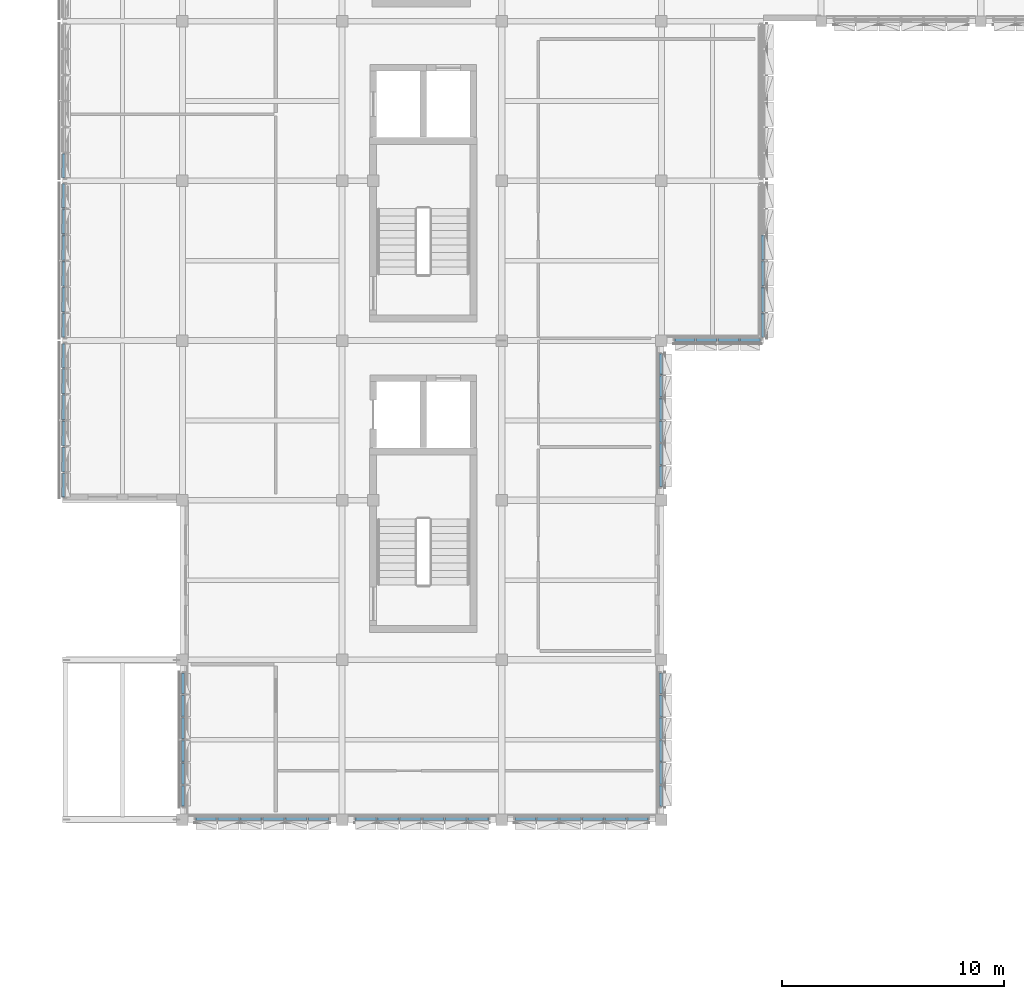
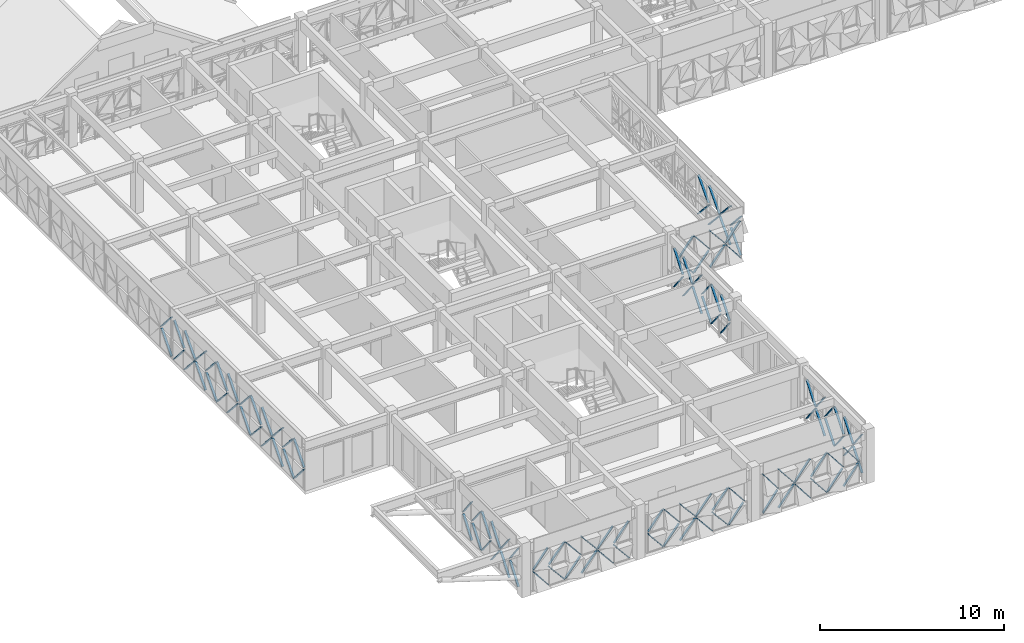
# One storey, part 35 of 48: 114 discrete accessories.
"""IFC4 building model written with IfcOpenShell, lengths in metres."""

from ifc_helpers import new_model, si_unit, direction, frame, origin, origin_2d, place, context, subcontext, project, spatial, rectangle, extrude, material, type_object, element, save


model = new_model("IFC4")

# Units and contexts
model_context = context("Model", 3, precision=1e-05, world=origin(), true_north=direction((0.0, 1.0)))
body_context = subcontext(model_context, "Body", "Model", "MODEL_VIEW")
ifc_project = project(units=[si_unit("LENGTHUNIT", "METRE"), si_unit("AREAUNIT", "SQUARE_METRE"), si_unit("VOLUMEUNIT", "CUBIC_METRE"), si_unit("PLANEANGLEUNIT", "RADIAN"), si_unit("MASSUNIT", "GRAM", prefix="KILO")], contexts=[model_context])

# Site, building, storey
site_placement = place(None, origin())
site = spatial("IfcSite", under=ifc_project, at=site_placement, CompositionType="ELEMENT")
building_placement = place(site_placement, origin())
building = spatial("IfcBuilding", under=site, at=building_placement, Name="Alvorim Cloister Faculty of Sciences", CompositionType="ELEMENT")
storey_placement = place(building_placement, frame((0.0, 0.0, 19.35009765625)))
storey = spatial("IfcBuildingStorey", under=building, at=storey_placement, Name="L05", CompositionType="ELEMENT", Elevation=19.35009765625)

# Discrete accessories
ifc_material = material(Name="Aluminium Alloy 6063-T6", Category="aluminium")
discrete_accessory_type = type_object("IfcDiscreteAccessoryType", Name="ACC-DIAG-BAR", PredefinedType="BRACKET", material=ifc_material)
for number, where, z_axis, x_axis, name in (
    (1, (7.222412109375, 7.804931640625, 0.139892578125), (0.006560793558, 0.604713142785, 0.796416330151), (-0.999941150118, 0.010848792579, 0.0), "Diagonal Cassette Glazing Bracket ACC-02281"),
    (2, (7.222412109375, 7.804931640625, 2.7099609375), (0.006560793558, 0.604713142785, -0.796416330151), (-0.999941150118, 0.010848792579, 0.0), "Diagonal Cassette Glazing Bracket ACC-02282"),
):
    element("IfcDiscreteAccessory", number, at=place(storey_placement, frame(where, z_axis=z_axis, x_axis=x_axis)), inside=storey, type_object=discrete_accessory_type, Name=name, PredefinedType="BRACKET", context=body_context, shape_type="SweptSolid", body=[
        extrude(rectangle(XDim=0.139892578125, YDim=0.044921875, at=origin_2d()), origin(), (0.0, 0.0, 1.0), 1.525634765625),
    ])
for number, where, z_axis, x_axis, name in (
    (3, (7.222412109375, 8.79248046875, 0.139892578125), (0.006476523147, 0.617955086572, 0.786186724404), (-0.999945083323, 0.010479997039, 0.0), "Diagonal Cassette Glazing Bracket ACC-02283"),
    (4, (7.222412109375, 8.79248046875, 2.7099609375), (0.006476523147, 0.617955086572, -0.786186724404), (-0.999945083323, 0.010479997039, 0.0), "Diagonal Cassette Glazing Bracket ACC-02284"),
    (5, (7.222412109375, 9.8125, 1.35498046875), (0.006476523147, 0.617955086572, -0.786186724404), (-0.999945083323, 0.010479997039, 0.0), "Diagonal Cassette Glazing Bracket ACC-02285"),
    (6, (7.222412109375, 9.8125, 1.494873046875), (0.006476523147, 0.617955086572, 0.786186724404), (-0.999945083323, 0.010479997039, 0.0), "Diagonal Cassette Glazing Bracket ACC-02286"),
    (7, (7.222412109375, 10.83251953125, 1.35498046875), (0.006476523147, 0.617955086572, -0.786186724404), (-0.999945083323, 0.010479997039, 0.0), "Diagonal Cassette Glazing Bracket ACC-02287"),
    (8, (7.222412109375, 10.83251953125, 1.494873046875), (0.006476523147, 0.617955086572, 0.786186724404), (-0.999945083323, 0.010479997039, 0.0), "Diagonal Cassette Glazing Bracket ACC-02288"),
    (9, (7.222412109375, 11.8525390625, 0.139892578125), (0.006476523147, 0.617955086572, 0.786186724404), (-0.999945083323, 0.010479997039, 0.0), "Diagonal Cassette Glazing Bracket ACC-02289"),
    (10, (7.222412109375, 11.8525390625, 2.7099609375), (0.006476523147, 0.617955086572, -0.786186724404), (-0.999945083323, 0.010479997039, 0.0), "Diagonal Cassette Glazing Bracket ACC-02290"),
):
    element("IfcDiscreteAccessory", number, at=place(storey_placement, frame(where, z_axis=z_axis, x_axis=x_axis)), inside=storey, type_object=discrete_accessory_type, Name=name, PredefinedType="BRACKET", context=body_context, shape_type="SweptSolid", body=[
        extrude(rectangle(XDim=0.139892578125, YDim=0.044921875, at=origin_2d()), origin(), (0.0, 0.0, 1.0), 1.545654296875),
    ])
for number, where, z_axis, x_axis, name in (
    (11, (7.222412109375, 12.87255859375, 0.139892578125), (0.006561428426, 0.604611624251, 0.796493397008), (-0.999941118963, 0.010851663811, 0.0), "Diagonal Cassette Glazing Bracket ACC-02291"),
    (12, (7.222412109375, 12.87255859375, 2.7099609375), (0.006561428426, 0.604611624251, -0.796493397008), (-0.999941118963, 0.010851663811, 0.0), "Diagonal Cassette Glazing Bracket ACC-02292"),
):
    element("IfcDiscreteAccessory", number, at=place(storey_placement, frame(where, z_axis=z_axis, x_axis=x_axis)), inside=storey, type_object=discrete_accessory_type, Name=name, PredefinedType="BRACKET", context=body_context, shape_type="SweptSolid", body=[
        extrude(rectangle(XDim=0.139892578125, YDim=0.044921875, at=origin_2d()), origin(), (0.0, 0.0, 1.0), 1.525634765625),
    ])
for number, where, z_axis, x_axis, name in (
    (13, (1.822509765625, 21.7451171875, 1.3583984375), (0.006158308683, 0.661792879469, -0.749661430193), (-0.999956706716, 0.009305089645, 0.0), "Diagonal Cassette Glazing Bracket ACC-02294"),
    (14, (1.822509765625, 21.7451171875, 1.498291015625), (0.006158308683, 0.661792879469, 0.749661430193), (-0.999956706716, 0.009305089645, 0.0), "Diagonal Cassette Glazing Bracket ACC-02295"),
):
    element("IfcDiscreteAccessory", number, at=place(storey_placement, frame(where, z_axis=z_axis, x_axis=x_axis)), inside=storey, type_object=discrete_accessory_type, Name=name, PredefinedType="BRACKET", context=body_context, shape_type="SweptSolid", body=[
        extrude(rectangle(XDim=0.139892578125, YDim=0.044921875, at=origin_2d()), origin(), (0.0, 0.0, 1.0), 1.62548828125),
    ])
for number, where, z_axis, x_axis, name in (
    (15, (1.822509765625, 22.8857421875, 0.139892578125), (0.006076684558, 0.672881655969, 0.73972518611), (-0.999959224486, 0.009030468767, 0.0), "Diagonal Cassette Glazing Bracket ACC-02296"),
    (16, (1.822509765625, 22.8857421875, 2.716796875), (0.006076684558, 0.672881655969, -0.73972518611), (-0.999959224486, 0.009030468767, 0.0), "Diagonal Cassette Glazing Bracket ACC-02297"),
    (17, (1.822509765625, 24.05908203125, 0.139892578125), (0.006076684558, 0.672881655969, 0.73972518611), (-0.999959224486, 0.009030468767, 0.0), "Diagonal Cassette Glazing Bracket ACC-02298"),
    (18, (1.822509765625, 24.05908203125, 2.716796875), (0.006076684558, 0.672881655969, -0.73972518611), (-0.999959224486, 0.009030468767, 0.0), "Diagonal Cassette Glazing Bracket ACC-02299"),
    (19, (1.822509765625, 25.232421875, 1.3583984375), (0.006076684558, 0.672881655969, -0.73972518611), (-0.999959224486, 0.009030468767, 0.0), "Diagonal Cassette Glazing Bracket ACC-02300"),
    (20, (1.822509765625, 25.232421875, 1.498291015625), (0.006076684558, 0.672881655969, 0.73972518611), (-0.999959224486, 0.009030468767, 0.0), "Diagonal Cassette Glazing Bracket ACC-02301"),
    (21, (1.822509765625, 26.40576171875, 1.3583984375), (0.006076684558, 0.672881655969, -0.73972518611), (-0.999959224486, 0.009030468767, 0.0), "Diagonal Cassette Glazing Bracket ACC-02302"),
    (22, (1.822509765625, 26.40576171875, 1.498291015625), (0.006076684558, 0.672881655969, 0.73972518611), (-0.999959224486, 0.009030468767, 0.0), "Diagonal Cassette Glazing Bracket ACC-02303"),
):
    element("IfcDiscreteAccessory", number, at=place(storey_placement, frame(where, z_axis=z_axis, x_axis=x_axis)), inside=storey, type_object=discrete_accessory_type, Name=name, PredefinedType="BRACKET", context=body_context, shape_type="SweptSolid", body=[
        extrude(rectangle(XDim=0.139892578125, YDim=0.044921875, at=origin_2d()), origin(), (0.0, 0.0, 1.0), 1.647216796875),
    ])
for number, where, z_axis, x_axis, name in (
    (23, (1.822509765625, 27.5791015625, 0.139892578125), (0.00615769655, 0.661877285306, 0.749586914219), (-0.99995672636, 0.009302978394, 0.0), "Diagonal Cassette Glazing Bracket ACC-02304"),
    (24, (1.822509765625, 27.5791015625, 2.716796875), (0.00615769655, 0.661877285306, -0.749586914219), (-0.99995672636, 0.009302978394, 0.0), "Diagonal Cassette Glazing Bracket ACC-02305"),
    (25, (1.822509765625, 28.945068359375, 1.3583984375), (0.006158308683, 0.661792879469, -0.749661430193), (-0.999956706716, 0.009305089645, 0.0), "Diagonal Cassette Glazing Bracket ACC-02307"),
    (26, (1.822509765625, 28.945068359375, 1.498291015625), (0.006158308683, 0.661792879469, 0.749661430193), (-0.999956706716, 0.009305089645, 0.0), "Diagonal Cassette Glazing Bracket ACC-02308"),
):
    element("IfcDiscreteAccessory", number, at=place(storey_placement, frame(where, z_axis=z_axis, x_axis=x_axis)), inside=storey, type_object=discrete_accessory_type, Name=name, PredefinedType="BRACKET", context=body_context, shape_type="SweptSolid", body=[
        extrude(rectangle(XDim=0.139892578125, YDim=0.044921875, at=origin_2d()), origin(), (0.0, 0.0, 1.0), 1.62548828125),
    ])
for number, where, z_axis, x_axis, name in (
    (27, (1.822509765625, 30.0859375, 1.3583984375), (0.006077290604, 0.67280053784, -0.739798961084), (-0.999959206518, 0.009032458133, 0.0), "Diagonal Cassette Glazing Bracket ACC-02309"),
    (28, (1.822509765625, 30.0859375, 1.498291015625), (0.006077290604, 0.67280053784, 0.739798961084), (-0.999959206518, 0.009032458133, 0.0), "Diagonal Cassette Glazing Bracket ACC-02310"),
    (29, (1.822509765625, 31.25927734375, 0.139892578125), (0.006077290604, 0.67280053784, 0.739798961084), (-0.999959206518, 0.009032458133, 0.0), "Diagonal Cassette Glazing Bracket ACC-02311"),
    (30, (1.822509765625, 31.25927734375, 2.716796875), (0.006077290604, 0.67280053784, -0.739798961084), (-0.999959206518, 0.009032458133, 0.0), "Diagonal Cassette Glazing Bracket ACC-02312"),
    (31, (1.822509765625, 32.4326171875, 0.139892578125), (0.006077290604, 0.67280053784, 0.739798961084), (-0.999959206518, 0.009032458133, 0.0), "Diagonal Cassette Glazing Bracket ACC-02313"),
    (32, (1.822509765625, 32.4326171875, 2.716796875), (0.006077290604, 0.67280053784, -0.739798961084), (-0.999959206518, 0.009032458133, 0.0), "Diagonal Cassette Glazing Bracket ACC-02314"),
):
    element("IfcDiscreteAccessory", number, at=place(storey_placement, frame(where, z_axis=z_axis, x_axis=x_axis)), inside=storey, type_object=discrete_accessory_type, Name=name, PredefinedType="BRACKET", context=body_context, shape_type="SweptSolid", body=[
        extrude(rectangle(XDim=0.139892578125, YDim=0.044921875, at=origin_2d()), origin(), (0.0, 0.0, 1.0), 1.64697265625),
    ])
for number, where, z_axis, x_axis, name in (
    (33, (1.822509765625, 33.605712890625, 1.3583984375), (0.006076684558, 0.672881655969, -0.73972518611), (-0.999959224486, 0.009030468767, 0.0), "Diagonal Cassette Glazing Bracket ACC-02315"),
    (34, (1.822509765625, 33.605712890625, 1.498291015625), (0.006076684558, 0.672881655969, 0.73972518611), (-0.999959224486, 0.009030468767, 0.0), "Diagonal Cassette Glazing Bracket ACC-02316"),
):
    element("IfcDiscreteAccessory", number, at=place(storey_placement, frame(where, z_axis=z_axis, x_axis=x_axis)), inside=storey, type_object=discrete_accessory_type, Name=name, PredefinedType="BRACKET", context=body_context, shape_type="SweptSolid", body=[
        extrude(rectangle(XDim=0.139892578125, YDim=0.044921875, at=origin_2d()), origin(), (0.0, 0.0, 1.0), 1.647216796875),
    ])
for number, where, z_axis, x_axis, name in (
    (35, (1.822509765625, 34.779052734375, 1.3583984375), (0.00615769655, 0.661877285306, -0.749586914219), (-0.99995672636, 0.009302978394, 0.0), "Diagonal Cassette Glazing Bracket ACC-02317"),
    (36, (1.822509765625, 34.779052734375, 1.498291015625), (0.00615769655, 0.661877285306, 0.749586914219), (-0.99995672636, 0.009302978394, 0.0), "Diagonal Cassette Glazing Bracket ACC-02318"),
    (37, (1.822509765625, 36.14501953125, 0.139892578125), (0.00615769655, 0.661877285306, 0.749586914219), (-0.99995672636, 0.009302978394, 0.0), "Diagonal Cassette Glazing Bracket ACC-02320"),
    (38, (1.822509765625, 36.14501953125, 2.716796875), (0.00615769655, 0.661877285306, -0.749586914219), (-0.99995672636, 0.009302978394, 0.0), "Diagonal Cassette Glazing Bracket ACC-02321"),
    (39, (33.37744140625, 28.945068359375, 0.139892578125), (-0.006158308683, 0.661792879469, 0.749661430193), (-0.999956706716, -0.009305089645, 0.0), "Diagonal Cassette Glazing Bracket ACC-02531"),
    (40, (33.37744140625, 28.945068359375, 2.716796875), (-0.006158308683, 0.661792879469, -0.749661430193), (-0.999956706716, -0.009305089645, 0.0), "Diagonal Cassette Glazing Bracket ACC-02532"),
):
    element("IfcDiscreteAccessory", number, at=place(storey_placement, frame(where, z_axis=z_axis, x_axis=x_axis)), inside=storey, type_object=discrete_accessory_type, Name=name, PredefinedType="BRACKET", context=body_context, shape_type="SweptSolid", body=[
        extrude(rectangle(XDim=0.139892578125, YDim=0.044921875, at=origin_2d()), origin(), (0.0, 0.0, 1.0), 1.62548828125),
    ])
for number, where, z_axis, x_axis, name in (
    (41, (33.37744140625, 30.0859375, 0.139892578125), (-0.006077290604, 0.67280053784, 0.739798961084), (-0.999959206518, -0.009032458133, 0.0), "Diagonal Cassette Glazing Bracket ACC-02533"),
    (42, (33.37744140625, 30.0859375, 2.716796875), (-0.006077290604, 0.67280053784, -0.739798961084), (-0.999959206518, -0.009032458133, 0.0), "Diagonal Cassette Glazing Bracket ACC-02534"),
    (43, (33.37744140625, 31.25927734375, 1.3583984375), (-0.006077290604, 0.67280053784, -0.739798961084), (-0.999959206518, -0.009032458133, 0.0), "Diagonal Cassette Glazing Bracket ACC-02535"),
    (44, (33.37744140625, 31.25927734375, 1.498291015625), (-0.006077290604, 0.67280053784, 0.739798961084), (-0.999959206518, -0.009032458133, 0.0), "Diagonal Cassette Glazing Bracket ACC-02536"),
    (45, (33.37744140625, 32.4326171875, 1.3583984375), (-0.006077290604, 0.67280053784, -0.739798961084), (-0.999959206518, -0.009032458133, 0.0), "Diagonal Cassette Glazing Bracket ACC-02537"),
    (46, (33.37744140625, 32.4326171875, 1.498291015625), (-0.006077290604, 0.67280053784, 0.739798961084), (-0.999959206518, -0.009032458133, 0.0), "Diagonal Cassette Glazing Bracket ACC-02538"),
):
    element("IfcDiscreteAccessory", number, at=place(storey_placement, frame(where, z_axis=z_axis, x_axis=x_axis)), inside=storey, type_object=discrete_accessory_type, Name=name, PredefinedType="BRACKET", context=body_context, shape_type="SweptSolid", body=[
        extrude(rectangle(XDim=0.139892578125, YDim=0.044921875, at=origin_2d()), origin(), (0.0, 0.0, 1.0), 1.64697265625),
    ])
for number, where, z_axis, x_axis, name in (
    (47, (29.405029296875, 28.822509765625, 1.282958984375), (0.617524934404, 0.006887519671, -0.78652114877), (-0.011152733966, 0.999937806329, 0.0), "Diagonal Cassette Glazing Bracket ACC-02544"),
    (48, (29.405029296875, 28.822509765625, 1.4228515625), (0.617524934404, 0.006887519671, 0.78652114877), (-0.011152733966, 0.999937806329, 0.0), "Diagonal Cassette Glazing Bracket ACC-02545"),
):
    element("IfcDiscreteAccessory", number, at=place(storey_placement, frame(where, z_axis=z_axis, x_axis=x_axis)), inside=storey, type_object=discrete_accessory_type, Name=name, PredefinedType="BRACKET", context=body_context, shape_type="SweptSolid", body=[
        extrude(rectangle(XDim=0.139892578125, YDim=0.044921875, at=origin_2d()), origin(), (0.0, 0.0, 1.0), 1.453369140625),
    ])
for number, where, z_axis, x_axis, name in (
    (49, (30.367431640625, 28.822509765625, 0.139892578125), (0.631164140853, 0.006792055059, 0.775619555768), (-0.010760531826, 0.999942103801, 0.0), "Diagonal Cassette Glazing Bracket ACC-02546"),
    (50, (30.367431640625, 28.822509765625, 2.56591796875), (0.631164140853, 0.006792055059, -0.775619555768), (-0.010760531826, 0.999942103801, 0.0), "Diagonal Cassette Glazing Bracket ACC-02547"),
    (51, (31.362548828125, 28.822509765625, 0.139892578125), (0.631064458964, 0.006792765245, 0.775700655519), (-0.010763356526, 0.9999420734, 0.0), "Diagonal Cassette Glazing Bracket ACC-02548"),
    (52, (31.362548828125, 28.822509765625, 2.56591796875), (0.631064458964, 0.006792765245, -0.775700655519), (-0.010763356526, 0.9999420734, 0.0), "Diagonal Cassette Glazing Bracket ACC-02549"),
):
    element("IfcDiscreteAccessory", number, at=place(storey_placement, frame(where, z_axis=z_axis, x_axis=x_axis)), inside=storey, type_object=discrete_accessory_type, Name=name, PredefinedType="BRACKET", context=body_context, shape_type="SweptSolid", body=[
        extrude(rectangle(XDim=0.139892578125, YDim=0.044921875, at=origin_2d()), origin(), (0.0, 0.0, 1.0), 1.4736328125),
    ])
for number, where, z_axis, x_axis, name in (
    (53, (32.357421875, 28.822509765625, 1.282958984375), (0.617524934404, 0.006887519671, -0.78652114877), (-0.011152733966, 0.999937806329, 0.0), "Diagonal Cassette Glazing Bracket ACC-02550"),
    (54, (32.357421875, 28.822509765625, 1.4228515625), (0.617524934404, 0.006887519671, 0.78652114877), (-0.011152733966, 0.999937806329, 0.0), "Diagonal Cassette Glazing Bracket ACC-02551"),
):
    element("IfcDiscreteAccessory", number, at=place(storey_placement, frame(where, z_axis=z_axis, x_axis=x_axis)), inside=storey, type_object=discrete_accessory_type, Name=name, PredefinedType="BRACKET", context=body_context, shape_type="SweptSolid", body=[
        extrude(rectangle(XDim=0.139892578125, YDim=0.044921875, at=origin_2d()), origin(), (0.0, 0.0, 1.0), 1.453369140625),
    ])
for number, where, z_axis, x_axis, name in (
    (55, (28.777587890625, 22.205078125, 1.35498046875), (-0.006561428426, 0.604611624251, -0.796493397008), (-0.999941118963, -0.010851663811, 0.0), "Diagonal Cassette Glazing Bracket ACC-02553"),
    (56, (28.777587890625, 22.205078125, 1.494873046875), (-0.006561428426, 0.604611624251, 0.796493397008), (-0.999941118963, -0.010851663811, 0.0), "Diagonal Cassette Glazing Bracket ACC-02554"),
):
    element("IfcDiscreteAccessory", number, at=place(storey_placement, frame(where, z_axis=z_axis, x_axis=x_axis)), inside=storey, type_object=discrete_accessory_type, Name=name, PredefinedType="BRACKET", context=body_context, shape_type="SweptSolid", body=[
        extrude(rectangle(XDim=0.139892578125, YDim=0.044921875, at=origin_2d()), origin(), (0.0, 0.0, 1.0), 1.525634765625),
    ])
for number, where, z_axis, x_axis, name in (
    (57, (28.777587890625, 23.1923828125, 1.35498046875), (-0.006476523147, 0.617955086572, -0.786186724404), (-0.999945083323, -0.010479997039, 0.0), "Diagonal Cassette Glazing Bracket ACC-02555"),
    (58, (28.777587890625, 23.1923828125, 1.494873046875), (-0.006476523147, 0.617955086572, 0.786186724404), (-0.999945083323, -0.010479997039, 0.0), "Diagonal Cassette Glazing Bracket ACC-02556"),
    (59, (28.777587890625, 24.21240234375, 0.139892578125), (-0.006476523147, 0.617955086572, 0.786186724404), (-0.999945083323, -0.010479997039, 0.0), "Diagonal Cassette Glazing Bracket ACC-02557"),
    (60, (28.777587890625, 24.21240234375, 2.7099609375), (-0.006476523147, 0.617955086572, -0.786186724404), (-0.999945083323, -0.010479997039, 0.0), "Diagonal Cassette Glazing Bracket ACC-02558"),
    (61, (28.777587890625, 25.232421875, 0.139892578125), (-0.006476523147, 0.617955086572, 0.786186724404), (-0.999945083323, -0.010479997039, 0.0), "Diagonal Cassette Glazing Bracket ACC-02559"),
    (62, (28.777587890625, 25.232421875, 2.7099609375), (-0.006476523147, 0.617955086572, -0.786186724404), (-0.999945083323, -0.010479997039, 0.0), "Diagonal Cassette Glazing Bracket ACC-02560"),
    (63, (28.777587890625, 26.25244140625, 1.35498046875), (-0.006476523147, 0.617955086572, -0.786186724404), (-0.999945083323, -0.010479997039, 0.0), "Diagonal Cassette Glazing Bracket ACC-02561"),
    (64, (28.777587890625, 26.25244140625, 1.494873046875), (-0.006476523147, 0.617955086572, 0.786186724404), (-0.999945083323, -0.010479997039, 0.0), "Diagonal Cassette Glazing Bracket ACC-02562"),
):
    element("IfcDiscreteAccessory", number, at=place(storey_placement, frame(where, z_axis=z_axis, x_axis=x_axis)), inside=storey, type_object=discrete_accessory_type, Name=name, PredefinedType="BRACKET", context=body_context, shape_type="SweptSolid", body=[
        extrude(rectangle(XDim=0.139892578125, YDim=0.044921875, at=origin_2d()), origin(), (0.0, 0.0, 1.0), 1.545654296875),
    ])
for number, where, z_axis, x_axis, name in (
    (65, (28.777587890625, 27.2724609375, 1.35498046875), (-0.006560793558, 0.604713142785, -0.796416330151), (-0.999941150118, -0.010848792579, 0.0), "Diagonal Cassette Glazing Bracket ACC-02563"),
    (66, (28.777587890625, 27.2724609375, 1.494873046875), (-0.006560793558, 0.604713142785, 0.796416330151), (-0.999941150118, -0.010848792579, 0.0), "Diagonal Cassette Glazing Bracket ACC-02564"),
    (67, (28.777587890625, 7.804931640625, 0.139892578125), (-0.006560793558, 0.604713142785, 0.796416330151), (-0.999941150118, -0.010848792579, 0.0), "Diagonal Cassette Glazing Bracket ACC-02566"),
    (68, (28.777587890625, 7.804931640625, 2.7099609375), (-0.006560793558, 0.604713142785, -0.796416330151), (-0.999941150118, -0.010848792579, 0.0), "Diagonal Cassette Glazing Bracket ACC-02567"),
):
    element("IfcDiscreteAccessory", number, at=place(storey_placement, frame(where, z_axis=z_axis, x_axis=x_axis)), inside=storey, type_object=discrete_accessory_type, Name=name, PredefinedType="BRACKET", context=body_context, shape_type="SweptSolid", body=[
        extrude(rectangle(XDim=0.139892578125, YDim=0.044921875, at=origin_2d()), origin(), (0.0, 0.0, 1.0), 1.525634765625),
    ])
for number, where, z_axis, x_axis, name in (
    (69, (28.777587890625, 8.79248046875, 1.35498046875), (-0.006476523147, 0.617955086572, -0.786186724404), (-0.999945083323, -0.010479997039, 0.0), "Diagonal Cassette Glazing Bracket ACC-02568"),
    (70, (28.777587890625, 8.79248046875, 1.494873046875), (-0.006476523147, 0.617955086572, 0.786186724404), (-0.999945083323, -0.010479997039, 0.0), "Diagonal Cassette Glazing Bracket ACC-02569"),
    (71, (28.777587890625, 9.8125, 1.35498046875), (-0.006476523147, 0.617955086572, -0.786186724404), (-0.999945083323, -0.010479997039, 0.0), "Diagonal Cassette Glazing Bracket ACC-02570"),
    (72, (28.777587890625, 9.8125, 1.494873046875), (-0.006476523147, 0.617955086572, 0.786186724404), (-0.999945083323, -0.010479997039, 0.0), "Diagonal Cassette Glazing Bracket ACC-02571"),
    (73, (28.777587890625, 10.83251953125, 0.139892578125), (-0.006476523147, 0.617955086572, 0.786186724404), (-0.999945083323, -0.010479997039, 0.0), "Diagonal Cassette Glazing Bracket ACC-02572"),
    (74, (28.777587890625, 10.83251953125, 2.7099609375), (-0.006476523147, 0.617955086572, -0.786186724404), (-0.999945083323, -0.010479997039, 0.0), "Diagonal Cassette Glazing Bracket ACC-02573"),
    (75, (28.777587890625, 11.8525390625, 0.139892578125), (-0.006476523147, 0.617955086572, 0.786186724404), (-0.999945083323, -0.010479997039, 0.0), "Diagonal Cassette Glazing Bracket ACC-02574"),
    (76, (28.777587890625, 11.8525390625, 2.7099609375), (-0.006476523147, 0.617955086572, -0.786186724404), (-0.999945083323, -0.010479997039, 0.0), "Diagonal Cassette Glazing Bracket ACC-02575"),
):
    element("IfcDiscreteAccessory", number, at=place(storey_placement, frame(where, z_axis=z_axis, x_axis=x_axis)), inside=storey, type_object=discrete_accessory_type, Name=name, PredefinedType="BRACKET", context=body_context, shape_type="SweptSolid", body=[
        extrude(rectangle(XDim=0.139892578125, YDim=0.044921875, at=origin_2d()), origin(), (0.0, 0.0, 1.0), 1.545654296875),
    ])
for number, where, z_axis, x_axis, name in (
    (77, (28.777587890625, 12.87255859375, 1.35498046875), (-0.006561428426, 0.604611624251, -0.796493397008), (-0.999941118963, -0.010851663811, 0.0), "Diagonal Cassette Glazing Bracket ACC-02576"),
    (78, (28.777587890625, 12.87255859375, 1.494873046875), (-0.006561428426, 0.604611624251, 0.796493397008), (-0.999941118963, -0.010851663811, 0.0), "Diagonal Cassette Glazing Bracket ACC-02577"),
    (79, (22.205078125, 7.222412109375, 0.139892578125), (0.604611624251, 0.006561428426, 0.796493397008), (-0.010851663811, 0.999941118963, 0.0), "Diagonal Cassette Glazing Bracket ACC-02579"),
    (80, (22.205078125, 7.222412109375, 2.7099609375), (0.604611624251, 0.006561428426, -0.796493397008), (-0.010851663811, 0.999941118963, 0.0), "Diagonal Cassette Glazing Bracket ACC-02580"),
):
    element("IfcDiscreteAccessory", number, at=place(storey_placement, frame(where, z_axis=z_axis, x_axis=x_axis)), inside=storey, type_object=discrete_accessory_type, Name=name, PredefinedType="BRACKET", context=body_context, shape_type="SweptSolid", body=[
        extrude(rectangle(XDim=0.139892578125, YDim=0.044921875, at=origin_2d()), origin(), (0.0, 0.0, 1.0), 1.525634765625),
    ])
for number, where, z_axis, x_axis, name in (
    (81, (23.1923828125, 7.222412109375, 0.139892578125), (0.617955086572, 0.006476523147, 0.786186724404), (-0.010479997039, 0.999945083323, 0.0), "Diagonal Cassette Glazing Bracket ACC-02581"),
    (82, (23.1923828125, 7.222412109375, 2.7099609375), (0.617955086572, 0.006476523147, -0.786186724404), (-0.010479997039, 0.999945083323, 0.0), "Diagonal Cassette Glazing Bracket ACC-02582"),
    (83, (24.21240234375, 7.222412109375, 1.35498046875), (0.617955086572, 0.006476523147, -0.786186724404), (-0.010479997039, 0.999945083323, 0.0), "Diagonal Cassette Glazing Bracket ACC-02583"),
    (84, (24.21240234375, 7.222412109375, 1.494873046875), (0.617955086572, 0.006476523147, 0.786186724404), (-0.010479997039, 0.999945083323, 0.0), "Diagonal Cassette Glazing Bracket ACC-02584"),
    (85, (25.232421875, 7.222412109375, 1.35498046875), (0.617955086572, 0.006476523147, -0.786186724404), (-0.010479997039, 0.999945083323, 0.0), "Diagonal Cassette Glazing Bracket ACC-02585"),
    (86, (25.232421875, 7.222412109375, 1.494873046875), (0.617955086572, 0.006476523147, 0.786186724404), (-0.010479997039, 0.999945083323, 0.0), "Diagonal Cassette Glazing Bracket ACC-02586"),
    (87, (26.25244140625, 7.222412109375, 0.139892578125), (0.617955086572, 0.006476523147, 0.786186724404), (-0.010479997039, 0.999945083323, 0.0), "Diagonal Cassette Glazing Bracket ACC-02587"),
    (88, (26.25244140625, 7.222412109375, 2.7099609375), (0.617955086572, 0.006476523147, -0.786186724404), (-0.010479997039, 0.999945083323, 0.0), "Diagonal Cassette Glazing Bracket ACC-02588"),
):
    element("IfcDiscreteAccessory", number, at=place(storey_placement, frame(where, z_axis=z_axis, x_axis=x_axis)), inside=storey, type_object=discrete_accessory_type, Name=name, PredefinedType="BRACKET", context=body_context, shape_type="SweptSolid", body=[
        extrude(rectangle(XDim=0.139892578125, YDim=0.044921875, at=origin_2d()), origin(), (0.0, 0.0, 1.0), 1.545654296875),
    ])
for number, where, z_axis, x_axis, name in (
    (89, (27.2724609375, 7.222412109375, 0.139892578125), (0.604713142785, 0.006560793558, 0.796416330151), (-0.010848792579, 0.999941150118, 0.0), "Diagonal Cassette Glazing Bracket ACC-02589"),
    (90, (27.2724609375, 7.222412109375, 2.7099609375), (0.604713142785, 0.006560793558, -0.796416330151), (-0.010848792579, 0.999941150118, 0.0), "Diagonal Cassette Glazing Bracket ACC-02590"),
):
    element("IfcDiscreteAccessory", number, at=place(storey_placement, frame(where, z_axis=z_axis, x_axis=x_axis)), inside=storey, type_object=discrete_accessory_type, Name=name, PredefinedType="BRACKET", context=body_context, shape_type="SweptSolid", body=[
        extrude(rectangle(XDim=0.139892578125, YDim=0.044921875, at=origin_2d()), origin(), (0.0, 0.0, 1.0), 1.525634765625),
    ])
for number, where, z_axis, x_axis, name in (
    (91, (15.0048828125, 7.222412109375, 1.282958984375), (0.628059424727, 0.006814087434, -0.778135545534), (-0.010848792579, 0.999941150118, 0.0), "Diagonal Cassette Glazing Bracket ACC-02592"),
    (92, (15.0048828125, 7.222412109375, 1.4228515625), (0.628059424727, 0.006814087434, 0.778135545534), (-0.010848792579, 0.999941150118, 0.0), "Diagonal Cassette Glazing Bracket ACC-02593"),
):
    element("IfcDiscreteAccessory", number, at=place(storey_placement, frame(where, z_axis=z_axis, x_axis=x_axis)), inside=storey, type_object=discrete_accessory_type, Name=name, PredefinedType="BRACKET", context=body_context, shape_type="SweptSolid", body=[
        extrude(rectangle(XDim=0.139892578125, YDim=0.044921875, at=origin_2d()), origin(), (0.0, 0.0, 1.0), 1.468994140625),
    ])
for number, where, z_axis, x_axis, name in (
    (93, (15.992431640625, 7.222412109375, 0.139892578125), (0.641168912593, 0.006719817335, 0.767370360113), (-0.010479997039, 0.999945083323, 0.0), "Diagonal Cassette Glazing Bracket ACC-02594"),
    (94, (15.992431640625, 7.222412109375, 2.56591796875), (0.641168912593, 0.006719817335, -0.767370360113), (-0.010479997039, 0.999945083323, 0.0), "Diagonal Cassette Glazing Bracket ACC-02595"),
    (95, (17.012451171875, 7.222412109375, 0.139892578125), (0.641168912593, 0.006719817335, 0.767370360113), (-0.010479997039, 0.999945083323, 0.0), "Diagonal Cassette Glazing Bracket ACC-02596"),
    (96, (17.012451171875, 7.222412109375, 2.56591796875), (0.641168912593, 0.006719817335, -0.767370360113), (-0.010479997039, 0.999945083323, 0.0), "Diagonal Cassette Glazing Bracket ACC-02597"),
    (97, (18.032470703125, 7.222412109375, 1.282958984375), (0.641168912593, 0.006719817335, -0.767370360113), (-0.010479997039, 0.999945083323, 0.0), "Diagonal Cassette Glazing Bracket ACC-02598"),
    (98, (18.032470703125, 7.222412109375, 1.4228515625), (0.641168912593, 0.006719817335, 0.767370360113), (-0.010479997039, 0.999945083323, 0.0), "Diagonal Cassette Glazing Bracket ACC-02599"),
    (99, (19.052490234375, 7.222412109375, 1.282958984375), (0.641168912593, 0.006719817335, -0.767370360113), (-0.010479997039, 0.999945083323, 0.0), "Diagonal Cassette Glazing Bracket ACC-02600"),
    (100, (19.052490234375, 7.222412109375, 1.4228515625), (0.641168912593, 0.006719817335, 0.767370360113), (-0.010479997039, 0.999945083323, 0.0), "Diagonal Cassette Glazing Bracket ACC-02601"),
):
    element("IfcDiscreteAccessory", number, at=place(storey_placement, frame(where, z_axis=z_axis, x_axis=x_axis)), inside=storey, type_object=discrete_accessory_type, Name=name, PredefinedType="BRACKET", context=body_context, shape_type="SweptSolid", body=[
        extrude(rectangle(XDim=0.139892578125, YDim=0.044921875, at=origin_2d()), origin(), (0.0, 0.0, 1.0), 1.489501953125),
    ])
for number, where, z_axis, x_axis, name in (
    (101, (20.072509765625, 7.222412109375, 0.139892578125), (0.628059424727, 0.006814087434, 0.778135545534), (-0.010848792579, 0.999941150118, 0.0), "Diagonal Cassette Glazing Bracket ACC-02602"),
    (102, (20.072509765625, 7.222412109375, 2.56591796875), (0.628059424727, 0.006814087434, -0.778135545534), (-0.010848792579, 0.999941150118, 0.0), "Diagonal Cassette Glazing Bracket ACC-02603"),
    (103, (7.804931640625, 7.222412109375, 1.282958984375), (0.628059424727, 0.006814087434, -0.778135545534), (-0.010848792579, 0.999941150118, 0.0), "Diagonal Cassette Glazing Bracket ACC-02605"),
    (104, (7.804931640625, 7.222412109375, 1.4228515625), (0.628059424727, 0.006814087434, 0.778135545534), (-0.010848792579, 0.999941150118, 0.0), "Diagonal Cassette Glazing Bracket ACC-02606"),
):
    element("IfcDiscreteAccessory", number, at=place(storey_placement, frame(where, z_axis=z_axis, x_axis=x_axis)), inside=storey, type_object=discrete_accessory_type, Name=name, PredefinedType="BRACKET", context=body_context, shape_type="SweptSolid", body=[
        extrude(rectangle(XDim=0.139892578125, YDim=0.044921875, at=origin_2d()), origin(), (0.0, 0.0, 1.0), 1.468994140625),
    ])
for number, where, z_axis, x_axis, name in (
    (105, (8.79248046875, 7.222412109375, 1.282958984375), (0.641168912593, 0.006719817335, -0.767370360113), (-0.010479997039, 0.999945083323, 0.0), "Diagonal Cassette Glazing Bracket ACC-02607"),
    (106, (8.79248046875, 7.222412109375, 1.4228515625), (0.641168912593, 0.006719817335, 0.767370360113), (-0.010479997039, 0.999945083323, 0.0), "Diagonal Cassette Glazing Bracket ACC-02608"),
    (107, (9.8125, 7.222412109375, 0.139892578125), (0.641168912593, 0.006719817335, 0.767370360113), (-0.010479997039, 0.999945083323, 0.0), "Diagonal Cassette Glazing Bracket ACC-02609"),
    (108, (9.8125, 7.222412109375, 2.56591796875), (0.641168912593, 0.006719817335, -0.767370360113), (-0.010479997039, 0.999945083323, 0.0), "Diagonal Cassette Glazing Bracket ACC-02610"),
    (109, (10.83251953125, 7.222412109375, 0.139892578125), (0.641168912593, 0.006719817335, 0.767370360113), (-0.010479997039, 0.999945083323, 0.0), "Diagonal Cassette Glazing Bracket ACC-02611"),
    (110, (10.83251953125, 7.222412109375, 2.56591796875), (0.641168912593, 0.006719817335, -0.767370360113), (-0.010479997039, 0.999945083323, 0.0), "Diagonal Cassette Glazing Bracket ACC-02612"),
    (111, (11.8525390625, 7.222412109375, 1.282958984375), (0.641168912593, 0.006719817335, -0.767370360113), (-0.010479997039, 0.999945083323, 0.0), "Diagonal Cassette Glazing Bracket ACC-02613"),
    (112, (11.8525390625, 7.222412109375, 1.4228515625), (0.641168912593, 0.006719817335, 0.767370360113), (-0.010479997039, 0.999945083323, 0.0), "Diagonal Cassette Glazing Bracket ACC-02614"),
):
    element("IfcDiscreteAccessory", number, at=place(storey_placement, frame(where, z_axis=z_axis, x_axis=x_axis)), inside=storey, type_object=discrete_accessory_type, Name=name, PredefinedType="BRACKET", context=body_context, shape_type="SweptSolid", body=[
        extrude(rectangle(XDim=0.139892578125, YDim=0.044921875, at=origin_2d()), origin(), (0.0, 0.0, 1.0), 1.489501953125),
    ])
for number, where, z_axis, x_axis, name in (
    (113, (12.87255859375, 7.222412109375, 1.282958984375), (0.627958769657, 0.006814798718, -0.778216770655), (-0.010851663811, 0.999941118963, 0.0), "Diagonal Cassette Glazing Bracket ACC-02615"),
    (114, (12.87255859375, 7.222412109375, 1.4228515625), (0.627958769657, 0.006814798718, 0.778216770655), (-0.010851663811, 0.999941118963, 0.0), "Diagonal Cassette Glazing Bracket ACC-02616"),
):
    element("IfcDiscreteAccessory", number, at=place(storey_placement, frame(where, z_axis=z_axis, x_axis=x_axis)), inside=storey, type_object=discrete_accessory_type, Name=name, PredefinedType="BRACKET", context=body_context, shape_type="SweptSolid", body=[
        extrude(rectangle(XDim=0.139892578125, YDim=0.044921875, at=origin_2d()), origin(), (0.0, 0.0, 1.0), 1.46875),
    ])

save(model, "model.ifc")
